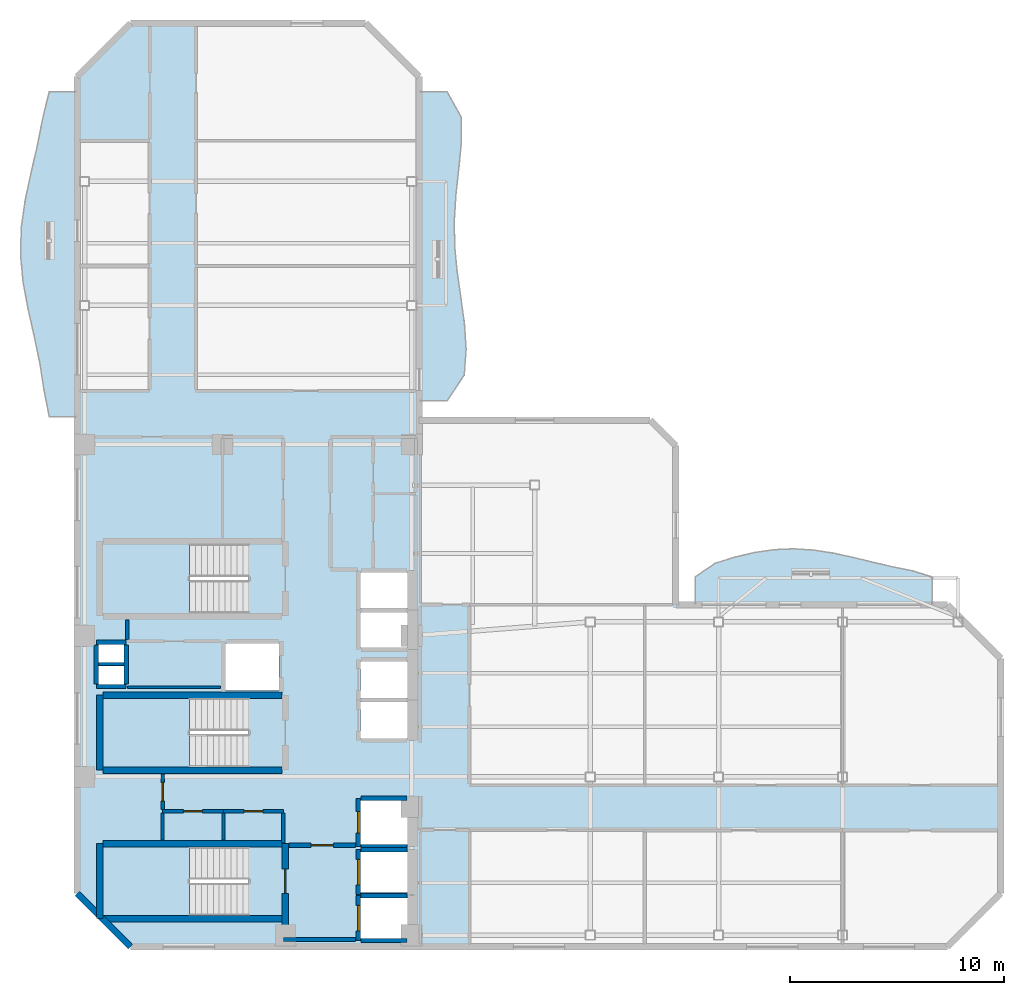
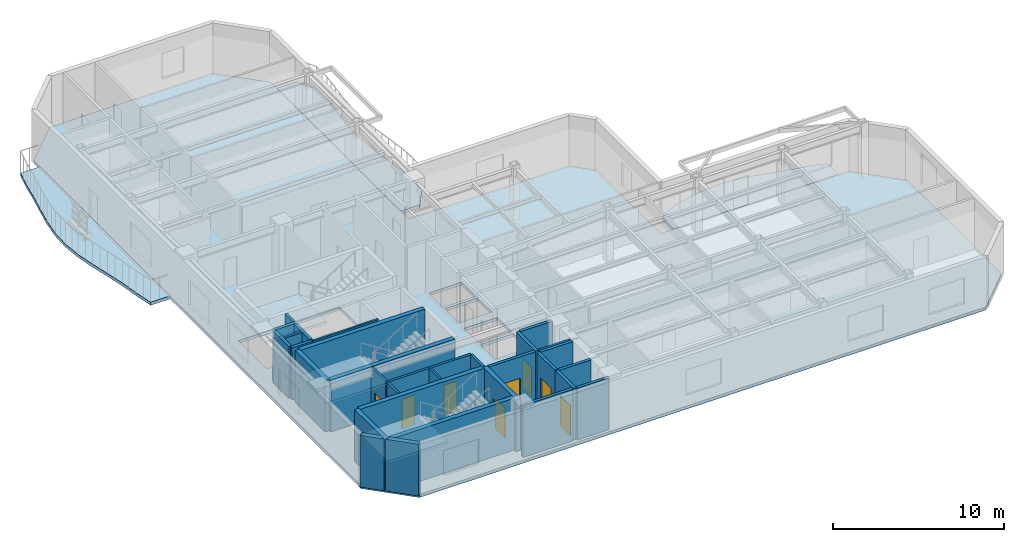
# One storey, part 2 of 9: 31 walls, 8 doors, 7 slabs, 8 openings, 3 elements without a shape of their own.
"""IFC4 building model written with IfcOpenShell, lengths in metres."""

from ifc_helpers import new_model, si_unit, direction, frame, frame_2d, origin, place, context, subcontext, project, spatial, polyline, rectangle, outline, extrude, material, layer, layer_set, type_object, element, fill, aggregate, save


model = new_model("IFC4")

# Units and contexts
model_context = context("Model", 3, precision=1e-05, world=origin(), true_north=direction((0.0, 1.0)))
body_context = subcontext(model_context, "Body", "Model", "MODEL_VIEW")
ifc_project = project(units=[si_unit("LENGTHUNIT", "METRE"), si_unit("AREAUNIT", "SQUARE_METRE"), si_unit("VOLUMEUNIT", "CUBIC_METRE"), si_unit("PLANEANGLEUNIT", "RADIAN"), si_unit("MASSUNIT", "GRAM", prefix="KILO")], contexts=[model_context])

# Site, building, storey
site_placement = place(None, origin())
site = spatial("IfcSite", under=ifc_project, at=site_placement, CompositionType="ELEMENT")
building_placement = place(site_placement, origin())
building = spatial("IfcBuilding", under=site, at=building_placement, Name="Mawjaban Terraces University", CompositionType="ELEMENT")
storey_placement = place(building_placement, frame((0.0, 0.0, 179.699951171875)))
storey = spatial("IfcBuildingStorey", under=building, at=storey_placement, Name="L43", CompositionType="ELEMENT", Elevation=179.699951171875)

# Slabs
ifc_material_1 = material(Name="Concrete C40/50", Category="concrete")
ifc_layer_1 = layer(ifc_material_1, 0.2099609375)
ifc_layer_set_1 = layer_set([ifc_layer_1], Name="Concrete C40/50")
slab_type_1 = type_object("IfcSlabType", Name="BalconySlab_210_Ext", PredefinedType="FLOOR", material=ifc_layer_set_1)
slab_1_placement = place(storey_placement, frame((0.0, 0.0, -0.2099609375)))
element("IfcSlab", 1, at=slab_1_placement, inside=storey, type_object=slab_type_1, Name="L43 Planted Balcony Slab west", PredefinedType="FLOOR", context=body_context, shape_type="SweptSolid", body=[
    extrude(outline(polyline([(22.010009765625, 24.800048828125), (22.010009765625, 40.0), (20.699951171875, 40.0), (20.39111328125, 38.73291015625), (20.14111328125, 37.467041015625), (19.847900390625, 36.199951171875), (19.575927734375, 34.93310546875), (19.39501953125, 33.6669921875), (19.35595703125, 32.39990234375), (19.469970703125, 31.133056640625), (19.701904296875, 29.866943359375), (19.988037109375, 28.60009765625), (20.25390625, 27.3330078125), (20.450927734375, 26.06689453125), (20.699951171875, 24.800048828125), (22.010009765625, 24.800048828125)])), origin(), (0.0, 0.0, 1.0), 0.2099609375),
])
slab_2_placement = place(storey_placement, frame((0.0, 0.0, -0.2099609375)))
element("IfcSlab", 2, at=slab_2_placement, inside=storey, type_object=slab_type_1, Name="L43 Planted Balcony Slab inner_north", PredefinedType="FLOOR", context=body_context, shape_type="SweptSolid", body=[
    extrude(outline(polyline([(50.89990234375, 15.989990234375), (62.0, 15.989990234375), (62.0, 17.300048828125), (61.074951171875, 17.587890625), (60.14990234375, 17.77490234375), (59.22509765625, 17.989990234375), (58.300048828125, 18.215087890625), (57.375, 18.416015625), (56.449951171875, 18.55908203125), (55.52490234375, 18.618896484375), (54.60009765625, 18.580078125), (53.675048828125, 18.445068359375), (52.75, 18.22607421875), (51.824951171875, 17.93798828125), (50.89990234375, 17.300048828125), (50.89990234375, 15.989990234375)])), origin(), (0.0, 0.0, 1.0), 0.2099609375),
])
slab_3_placement = place(storey_placement, frame((0.0, 0.0, -0.2099609375)))
element("IfcSlab", 3, at=slab_3_placement, inside=storey, type_object=slab_type_1, Name="L43 Planted Balcony Slab inner_east", PredefinedType="FLOOR", context=body_context, shape_type="SweptSolid", body=[
    extrude(outline(polyline([(39.300048828125, 25.5400390625), (40.10693359375, 26.7451171875), (40.194091796875, 27.949951171875), (40.114990234375, 29.155029296875), (39.949951171875, 30.360107421875), (39.77587890625, 31.56494140625), (39.659912109375, 32.77001953125), (39.64111328125, 33.97509765625), (39.717041015625, 35.179931640625), (39.85107421875, 36.385009765625), (39.969970703125, 37.590087890625), (39.97509765625, 38.794921875), (39.300048828125, 40.0), (37.989990234375, 40.0), (37.989990234375, 25.5400390625), (39.300048828125, 25.5400390625)])), origin(), (0.0, 0.0, 1.0), 0.2099609375),
])
ifc_layer_2 = layer(ifc_material_1, 0.2099609375)
ifc_layer_set_2 = layer_set([ifc_layer_2], Name="Concrete C40/50")
slab_type_2 = type_object("IfcSlabType", Name="CompositeSlab_210", PredefinedType="FLOOR", material=ifc_layer_set_2)
slab_4_placement = place(storey_placement, frame((0.0, 0.0, -0.2099609375)))
element("IfcSlab", 4, at=slab_4_placement, inside=storey, type_object=slab_type_2, Name="L43 Primary Structural Slab", PredefinedType="FLOOR", context=body_context, shape_type="SweptSolid", body=[
    extrude(outline(polyline([(24.5, 0.0), (62.699951171875, 0.0), (65.199951171875, 2.5), (65.199951171875, 13.5), (62.699951171875, 16.0), (50.0, 16.0), (50.0, 23.43994140625), (48.800048828125, 24.639892578125), (38.0, 24.639892578125), (38.0, 40.699951171875), (35.5, 43.199951171875), (24.5, 43.199951171875), (22.0, 40.699951171875), (22.0, 2.5), (24.5, 0.0)]), holes=[polyline([(30.014892578125, 4.699951171875), (23.199951171875, 4.699951171875), (23.199951171875, 1.449951171875), (30.014892578125, 1.449951171875), (30.014892578125, 4.699951171875)]), polyline([(30.014892578125, 18.85009765625), (23.199951171875, 18.85009765625), (23.199951171875, 15.60009765625), (30.014892578125, 15.60009765625), (30.014892578125, 18.85009765625)]), polyline([(30.014892578125, 11.64990234375), (23.199951171875, 11.64990234375), (23.199951171875, 8.39990234375), (30.014892578125, 8.39990234375), (30.014892578125, 11.64990234375)]), polyline([(35.25, 0.39990234375), (37.449951171875, 0.39990234375), (37.449951171875, 2.300048828125), (35.25, 2.300048828125), (35.25, 0.39990234375)]), polyline([(35.25, 2.550048828125), (37.449951171875, 2.550048828125), (37.449951171875, 4.449951171875), (35.25, 4.449951171875), (35.25, 2.550048828125)]), polyline([(35.25, 4.800048828125), (37.449951171875, 4.800048828125), (37.449951171875, 6.85009765625), (35.25, 6.85009765625), (35.25, 4.800048828125)]), polyline([(35.25, 9.75), (37.449951171875, 9.75), (37.449951171875, 11.449951171875), (35.25, 11.449951171875), (35.25, 9.75)]), polyline([(35.25, 11.64990234375), (37.449951171875, 11.64990234375), (37.449951171875, 13.35009765625), (35.25, 13.35009765625), (35.25, 11.64990234375)]), polyline([(28.949951171875, 12.0), (31.449951171875, 12.0), (31.449951171875, 14.199951171875), (28.949951171875, 14.199951171875), (28.949951171875, 12.0)]), polyline([(35.25, 14.0), (37.449951171875, 14.0), (37.449951171875, 15.64990234375), (35.25, 15.64990234375), (35.25, 14.0)]), polyline([(35.25, 15.85009765625), (37.449951171875, 15.85009765625), (37.449951171875, 17.5), (35.25, 17.5), (35.25, 15.85009765625)]), polyline([(23.0, 12.25), (24.199951171875, 12.25), (24.199951171875, 13.14990234375), (23.0, 13.14990234375), (23.0, 12.25)]), polyline([(23.0, 13.300048828125), (24.199951171875, 13.300048828125), (24.199951171875, 14.179931640625), (23.0, 14.179931640625), (23.0, 13.300048828125)])]), origin(), (0.0, 0.0, 1.0), 0.2099609375),
])

# Stair, slab
stair_type = type_object("IfcStairType", Name="Stair_Core1550_H39", PredefinedType="HALF_TURN_STAIR", material=ifc_material_1)
stair_1_placement = place(storey_placement, origin())
stair_1 = element("IfcStair", 5, at=stair_1_placement, inside=storey, type_object=stair_type, Name="L43 Core Exit Stair 1", PredefinedType="HALF_TURN_STAIR")
ifc_layer_3 = layer(ifc_material_1, 0.199951171875)
ifc_layer_set_3 = layer_set([ifc_layer_3], Name="Concrete C40/50")
slab_type_3 = type_object("IfcSlabType", Name="StairLandingSlab_200", PredefinedType="LANDING", material=ifc_layer_set_3)
slab_5_placement = place(storey_placement, frame((0.0, 0.0, 1.75)))
slab_5 = element("IfcSlab", 6, at=slab_5_placement, type_object=slab_type_3, Name="ST-1 landing 1", PredefinedType="LANDING", context=body_context, shape_type="SweptSolid", body=[
    extrude(outline(polyline([(27.25, 4.699951171875), (23.199951171875, 4.699951171875), (23.199951171875, 1.449951171875), (27.25, 1.449951171875), (27.25, 4.699951171875)])), origin(), (0.0, 0.0, 1.0), 0.199951171875),
])
aggregate(stair_1, [slab_5])

stair_2_placement = place(storey_placement, origin())
stair_2 = element("IfcStair", 7, at=stair_2_placement, inside=storey, type_object=stair_type, Name="L43 Core Exit Stair 2", PredefinedType="HALF_TURN_STAIR")
slab_6_placement = place(storey_placement, frame((0.0, 0.0, 1.75)))
slab_6 = element("IfcSlab", 8, at=slab_6_placement, type_object=slab_type_3, Name="ST-2 landing 1", PredefinedType="LANDING", context=body_context, shape_type="SweptSolid", body=[
    extrude(outline(polyline([(27.25, 18.85009765625), (23.199951171875, 18.85009765625), (23.199951171875, 15.60009765625), (27.25, 15.60009765625), (27.25, 18.85009765625)])), origin(), (0.0, 0.0, 1.0), 0.199951171875),
])
aggregate(stair_2, [slab_6])

stair_3_placement = place(storey_placement, origin())
stair_3 = element("IfcStair", 9, at=stair_3_placement, inside=storey, type_object=stair_type, Name="L43 Core Exit Stair 3", PredefinedType="HALF_TURN_STAIR")
slab_7_placement = place(storey_placement, frame((0.0, 0.0, 1.75)))
slab_7 = element("IfcSlab", 10, at=slab_7_placement, type_object=slab_type_3, Name="ST-3 landing 1", PredefinedType="LANDING", context=body_context, shape_type="SweptSolid", body=[
    extrude(outline(polyline([(27.25, 11.64990234375), (23.199951171875, 11.64990234375), (23.199951171875, 8.39990234375), (27.25, 8.39990234375), (27.25, 11.64990234375)])), origin(), (0.0, 0.0, 1.0), 0.199951171875),
])
aggregate(stair_3, [slab_7])

# Wall, opening, door
ifc_material_2 = material(Name="Fire-rated gypsum board on steel stud", Category="steel")
ifc_layer_4 = layer(ifc_material_2, 0.159912109375)
ifc_layer_set_4 = layer_set([ifc_layer_4], Name="Fire-rated gypsum board on steel stud")
wall_type_1 = type_object("IfcWallType", Name="CorridorPartition_160", PredefinedType="PARTITIONING", material=ifc_layer_set_4)
wall_1_placement = place(storey_placement, frame((26.0, 6.35009765625, 0.0), z_axis=(0.0, 0.0, 1.0), x_axis=(1.0, 0.0, 0.0)))
wall_1 = element("IfcWall", 11, at=wall_1_placement, inside=storey, type_object=wall_type_1, Name="L43 Core Washroom Lobby Partition 6", PredefinedType="PARTITIONING", context=body_context, shape_type="SweptSolid", body=[
    extrude(rectangle(XDim=2.85009765625, YDim=0.159912109375, at=frame_2d((1.425048828125, 0.0))), origin(), (0.0, 0.0, 1.0), 3.68994140625),
])
opening_1_placement = place(wall_1_placement, frame((0.985107421875, 0.0, 0.0)))
opening_1 = element("IfcOpeningElement", 12, at=opening_1_placement, cuts=wall_1, Name="Opening ID-088", PredefinedType="OPENING", context=body_context, shape_type="SweptSolid", body=[
    extrude(rectangle(XDim=0.8798828125, YDim=2.10009765625, at=frame_2d((0.43994140625, 1.050048828125))), frame((0.0, 0.08984375, 0.0), z_axis=(0.0, -1.0, 0.0), x_axis=(1.0, 0.0, 0.0)), (0.0, 0.0, 1.0), 0.179931640625),
])
ifc_material_3 = material(Name="Powder-coated steel frame and solid acoustic timber leaf", Category="steel")
door_type_1 = type_object("IfcDoorType", Name="ToiletDoor_880x2100", OperationType="NOTDEFINED", PredefinedType="DOOR", material=ifc_material_3)
door_1_placement = place(opening_1_placement, origin())
door_1 = element("IfcDoor", 13, at=door_1_placement, inside=storey, type_object=door_type_1, Name="L43 Male Toilet Door", OperationType="SINGLE_SWING_LEFT", OverallHeight=2.10009765625, OverallWidth=0.8798828125, PredefinedType="DOOR", context=body_context, shape_type="SweptSolid", body=[
    extrude(rectangle(XDim=0.8798828125, YDim=2.10009765625, at=frame_2d((0.43994140625, 1.050048828125))), frame((0.0, 0.02490234375, 0.0), z_axis=(0.0, -1.0, 0.0), x_axis=(1.0, 0.0, 0.0)), (0.0, 0.0, 1.0), 0.050048828125),
])
fill(opening_1, door_1)

wall_2_placement = place(storey_placement, frame((28.85009765625, 6.35009765625, 0.0), z_axis=(0.0, 0.0, 1.0), x_axis=(1.0, 0.0, 0.0)))
wall_2 = element("IfcWall", 14, at=wall_2_placement, inside=storey, type_object=wall_type_1, Name="L43 Core Washroom Lobby Partition 8", PredefinedType="PARTITIONING", context=body_context, shape_type="SweptSolid", body=[
    extrude(rectangle(XDim=2.7998046875, YDim=0.159912109375, at=frame_2d((1.39990234375, 0.0))), origin(), (0.0, 0.0, 1.0), 3.68994140625),
])
opening_2_placement = place(wall_2_placement, frame((0.9599609375, 0.0, 0.0)))
opening_2 = element("IfcOpeningElement", 15, at=opening_2_placement, cuts=wall_2, Name="Opening ID-088", PredefinedType="OPENING", context=body_context, shape_type="SweptSolid", body=[
    extrude(rectangle(XDim=0.8798828125, YDim=2.10009765625, at=frame_2d((0.43994140625, 1.050048828125))), frame((0.0, 0.08984375, 0.0), z_axis=(0.0, -1.0, 0.0), x_axis=(1.0, 0.0, 0.0)), (0.0, 0.0, 1.0), 0.179931640625),
])
door_2_placement = place(opening_2_placement, origin())
door_2 = element("IfcDoor", 16, at=door_2_placement, inside=storey, type_object=door_type_1, Name="L43 Accessible Toilet Door", OperationType="SINGLE_SWING_RIGHT", OverallHeight=2.10009765625, OverallWidth=0.8798828125, PredefinedType="DOOR", context=body_context, shape_type="SweptSolid", body=[
    extrude(rectangle(XDim=0.8798828125, YDim=2.10009765625, at=frame_2d((0.43994140625, 1.050048828125))), frame((0.0, 0.02490234375, 0.0), z_axis=(0.0, -1.0, 0.0), x_axis=(1.0, 0.0, 0.0)), (0.0, 0.0, 1.0), 0.050048828125),
])
fill(opening_2, door_2)

# Wall
wall_3_placement = place(storey_placement, frame((24.35009765625, 15.2900390625, 0.0), z_axis=(0.0, 0.0, 1.0), x_axis=(0.0, -1.0, 0.0)))
element("IfcWall", 17, at=wall_3_placement, inside=storey, type_object=wall_type_1, Name="L43 Core Riser Access Passage Partition 29", PredefinedType="PARTITIONING", context=body_context, shape_type="SweptSolid", body=[
    extrude(rectangle(XDim=0.9150390625, YDim=0.159912109375, at=frame_2d((0.45751953125, 0.0))), origin(), (0.0, 0.0, 1.0), 3.68994140625),
])

# Wall, opening, door
wall_4_placement = place(storey_placement, frame((26.0, 8.090087890625, 0.0), z_axis=(0.0, 0.0, 1.0), x_axis=(0.0, -1.0, 0.0)))
wall_4 = element("IfcWall", 18, at=wall_4_placement, inside=storey, type_object=wall_type_1, Name="L43 Core Washroom Lobby Partition 34", PredefinedType="PARTITIONING", context=body_context, shape_type="SweptSolid", body=[
    extrude(rectangle(XDim=1.6650390625, YDim=0.159912109375, at=frame_2d((0.83251953125, 0.0))), origin(), (0.0, 0.0, 1.0), 3.68994140625),
])
opening_3_placement = place(wall_4_placement, frame((0.39306640625, 0.0, 0.0)))
opening_3 = element("IfcOpeningElement", 19, at=opening_3_placement, cuts=wall_4, Name="Opening ID-088", PredefinedType="OPENING", context=body_context, shape_type="SweptSolid", body=[
    extrude(rectangle(XDim=0.8798828125, YDim=2.10009765625, at=frame_2d((0.43994140625, 1.050048828125))), frame((0.0, 0.08984375, 0.0), z_axis=(0.0, -1.0, 0.0), x_axis=(1.0, 0.0, 0.0)), (0.0, 0.0, 1.0), 0.179931640625),
])
door_3_placement = place(opening_3_placement, origin())
door_3 = element("IfcDoor", 20, at=door_3_placement, inside=storey, type_object=door_type_1, Name="L43 Ablution Room Door", OperationType="SINGLE_SWING_RIGHT", OverallHeight=2.10009765625, OverallWidth=0.8798828125, PredefinedType="DOOR", context=body_context, shape_type="SweptSolid", body=[
    extrude(rectangle(XDim=0.8798828125, YDim=2.10009765625, at=frame_2d((0.43994140625, 1.050048828125))), frame((0.0, 0.02490234375, 0.0), z_axis=(0.0, -1.0, 0.0), x_axis=(1.0, 0.0, 0.0)), (0.0, 0.0, 1.0), 0.050048828125),
])
fill(opening_3, door_3)

# Walls
wall_5_placement = place(storey_placement, frame((31.64990234375, 4.860107421875, 0.0), z_axis=(0.0, 0.0, 1.0), x_axis=(0.0, 1.0, 0.0)))
element("IfcWall", 21, at=wall_5_placement, inside=storey, type_object=wall_type_1, Name="L43 Accessible Toilet Partition 40", PredefinedType="PARTITIONING", context=body_context, shape_type="SweptSolid", body=[
    extrude(rectangle(XDim=1.414794921875, YDim=0.159912109375, at=frame_2d((0.70751953125, 0.0))), origin(), (0.0, 0.0, 1.0), 3.68994140625),
])
ifc_material_4 = material(Name="Insulated terracotta rainscreen on concrete backup C40/50", Category="masonry")
ifc_layer_5 = layer(ifc_material_4, 0.300048828125)
ifc_layer_set_5 = layer_set([ifc_layer_5], Name="Insulated terracotta rainscreen on concrete backup C40/50")
wall_type_2 = type_object("IfcWallType", Name="ExtTerracottaWall_300", PredefinedType="SOLIDWALL", material=ifc_layer_set_5)
wall_6_placement = place(storey_placement, frame((22.0, 2.5, 0.0), z_axis=(0.0, 0.0, 1.0), x_axis=(0.707106781187, -0.707106781187, 0.0)))
element("IfcWall", 22, at=wall_6_placement, inside=storey, type_object=wall_type_2, Name="L43 Exterior Terracotta Wall 14", PredefinedType="SOLIDWALL", context=body_context, shape_type="SweptSolid", body=[
    extrude(rectangle(XDim=3.53564453125, YDim=0.300048828125, at=frame_2d((1.767822265625, 0.0))), origin(), (0.0, 0.0, 1.0), 3.68994140625),
])

# Wall, opening, door
ifc_layer_6 = layer(ifc_material_1, 0.199951171875)
ifc_layer_set_6 = layer_set([ifc_layer_6], Name="Concrete C40/50")
wall_type_3 = type_object("IfcWallType", Name="FireLobbyWall_200", PredefinedType="SOLIDWALL", material=ifc_layer_set_6)
wall_7_placement = place(storey_placement, frame((35.14990234375, 2.39990234375, 0.0), z_axis=(0.0, 0.0, 1.0), x_axis=(0.0, -1.0, 0.0)))
wall_7 = element("IfcWall", 23, at=wall_7_placement, inside=storey, type_object=wall_type_3, Name="L43 Lift FL-1 Hoistway Wall West", PredefinedType="SOLIDWALL", context=body_context, shape_type="SweptSolid", body=[
    extrude(rectangle(XDim=2.099853515625, YDim=0.199951171875, at=frame_2d((1.0498046875, 0.0))), origin(), (0.0, 0.0, 1.0), 3.68994140625),
])
opening_4_placement = place(wall_7_placement, frame((0.449951171875, 0.0, 0.0)))
opening_4 = element("IfcOpeningElement", 24, at=opening_4_placement, cuts=wall_7, Name="Opening LD-FL-1", PredefinedType="OPENING", context=body_context, shape_type="SweptSolid", body=[
    extrude(rectangle(XDim=1.199951171875, YDim=2.14990234375, at=frame_2d((0.60009765625, 1.074951171875))), frame((0.0, 0.10986328125, 0.0), z_axis=(0.0, -1.0, 0.0), x_axis=(1.0, 0.0, 0.0)), (0.0, 0.0, 1.0), 0.219970703125),
])
ifc_material_5 = material(Name="Powder-coated steel frame and fire-rated steel-faced leaf", Category="steel")
door_type_2 = type_object("IfcDoorType", Name="LiftLandingFSAE_1200x2150", OperationType="NOTDEFINED", PredefinedType="DOOR", material=ifc_material_5)
door_4_placement = place(opening_4_placement, origin())
door_4 = element("IfcDoor", 25, at=door_4_placement, inside=storey, type_object=door_type_2, Name="L43 Lift FL-1 Sliding Landing Door", OperationType="DOUBLE_DOOR_SLIDING", OverallHeight=2.14990234375, OverallWidth=1.199951171875, PredefinedType="DOOR", context=body_context, shape_type="SweptSolid", body=[
    extrude(rectangle(XDim=1.199951171875, YDim=2.14990234375, at=frame_2d((0.60009765625, 1.074951171875))), frame((0.0, 0.02490234375, 0.0), z_axis=(0.0, -1.0, 0.0), x_axis=(1.0, 0.0, 0.0)), (0.0, 0.0, 1.0), 0.050048828125),
])
fill(opening_4, door_4)

# Walls
for number, where, z_axis, x_axis, name in (
    (26, (35.280029296875, 0.300048828125, 0.0), (0.0, 0.0, 1.0), (1.0, 0.0, 0.0), "L43 Lift FL-1 Hoistway Wall South"),
    (27, (37.419921875, 2.39990234375, 0.0), (0.0, 0.0, 1.0), (-1.0, 0.0, 0.0), "L43 Lift FL-1 Hoistway Wall North"),
):
    element("IfcWall", number, at=place(storey_placement, frame(where, z_axis=z_axis, x_axis=x_axis)), inside=storey, type_object=wall_type_3, Name=name, PredefinedType="SOLIDWALL", context=body_context, shape_type="SweptSolid", body=[
        extrude(rectangle(XDim=2.139892578125, YDim=0.199951171875, at=frame_2d((1.06982421875, 0.0))), origin(), (0.0, 0.0, 1.0), 3.68994140625),
    ])

# Wall, opening, door
wall_8_placement = place(storey_placement, frame((35.14990234375, 4.550048828125, 0.0), z_axis=(0.0, 0.0, 1.0), x_axis=(0.0, -1.0, 0.0)))
wall_8 = element("IfcWall", 28, at=wall_8_placement, inside=storey, type_object=wall_type_3, Name="L43 Lift FL-2 Hoistway Wall West", PredefinedType="SOLIDWALL", context=body_context, shape_type="SweptSolid", body=[
    extrude(rectangle(XDim=2.10009765625, YDim=0.199951171875, at=frame_2d((1.050048828125, 0.0))), origin(), (0.0, 0.0, 1.0), 3.68994140625),
])
opening_5_placement = place(wall_8_placement, frame((0.449951171875, 0.0, 0.0)))
opening_5 = element("IfcOpeningElement", 29, at=opening_5_placement, cuts=wall_8, Name="Opening LD-FL-2", PredefinedType="OPENING", context=body_context, shape_type="SweptSolid", body=[
    extrude(rectangle(XDim=1.199951171875, YDim=2.14990234375, at=frame_2d((0.60009765625, 1.074951171875))), frame((0.0, 0.10986328125, 0.0), z_axis=(0.0, -1.0, 0.0), x_axis=(1.0, 0.0, 0.0)), (0.0, 0.0, 1.0), 0.219970703125),
])
door_5_placement = place(opening_5_placement, origin())
door_5 = element("IfcDoor", 30, at=door_5_placement, inside=storey, type_object=door_type_2, Name="L43 Lift FL-2 Sliding Landing Door", OperationType="DOUBLE_DOOR_SLIDING", OverallHeight=2.14990234375, OverallWidth=1.199951171875, PredefinedType="DOOR", context=body_context, shape_type="SweptSolid", body=[
    extrude(rectangle(XDim=1.199951171875, YDim=2.14990234375, at=frame_2d((0.60009765625, 1.074951171875))), frame((0.0, 0.02490234375, 0.0), z_axis=(0.0, -1.0, 0.0), x_axis=(1.0, 0.0, 0.0)), (0.0, 0.0, 1.0), 0.050048828125),
])
fill(opening_5, door_5)

# Wall
wall_9_placement = place(storey_placement, frame((37.419921875, 4.550048828125, 0.0), z_axis=(0.0, 0.0, 1.0), x_axis=(-1.0, 0.0, 0.0)))
element("IfcWall", 31, at=wall_9_placement, inside=storey, type_object=wall_type_3, Name="L43 Lift FL-2 Hoistway Wall North", PredefinedType="SOLIDWALL", context=body_context, shape_type="SweptSolid", body=[
    extrude(rectangle(XDim=2.139892578125, YDim=0.199951171875, at=frame_2d((1.06982421875, 0.0))), origin(), (0.0, 0.0, 1.0), 3.68994140625),
])

# Wall, opening, door
wall_10_placement = place(storey_placement, frame((35.14990234375, 6.949951171875, 0.0), z_axis=(0.0, 0.0, 1.0), x_axis=(0.0, -1.0, 0.0)))
wall_10 = element("IfcWall", 32, at=wall_10_placement, inside=storey, type_object=wall_type_3, Name="L43 Lift SL-1 Hoistway Wall West", PredefinedType="SOLIDWALL", context=body_context, shape_type="SweptSolid", body=[
    extrude(rectangle(XDim=2.25, YDim=0.199951171875, at=frame_2d((1.125, 0.0))), origin(), (0.0, 0.0, 1.0), 3.68994140625),
])
opening_6_placement = place(wall_10_placement, frame((0.625, 0.0, 0.0)))
opening_6 = element("IfcOpeningElement", 33, at=opening_6_placement, cuts=wall_10, Name="Opening LD-SL-1", PredefinedType="OPENING", context=body_context, shape_type="SweptSolid", body=[
    extrude(rectangle(XDim=1.0, YDim=2.10009765625, at=frame_2d((0.5, 1.050048828125))), frame((0.0, 0.10986328125, 0.0), z_axis=(0.0, -1.0, 0.0), x_axis=(1.0, 0.0, 0.0)), (0.0, 0.0, 1.0), 0.219970703125),
])
door_type_3 = type_object("IfcDoorType", Name="LiftLandingSliding_1000x2100", OperationType="NOTDEFINED", PredefinedType="DOOR", material=ifc_material_5)
door_6_placement = place(opening_6_placement, origin())
door_6 = element("IfcDoor", 34, at=door_6_placement, inside=storey, type_object=door_type_3, Name="L43 Lift SL-1 Sliding Landing Door", OperationType="DOUBLE_DOOR_SLIDING", OverallHeight=2.10009765625, OverallWidth=1.0, PredefinedType="DOOR", context=body_context, shape_type="SweptSolid", body=[
    extrude(rectangle(XDim=1.0, YDim=2.10009765625, at=frame_2d((0.5, 1.050048828125))), frame((0.0, 0.02490234375, 0.0), z_axis=(0.0, -1.0, 0.0), x_axis=(1.0, 0.0, 0.0)), (0.0, 0.0, 1.0), 0.050048828125),
])
fill(opening_6, door_6)

# Walls
for number, where, z_axis, x_axis, name in (
    (35, (35.280029296875, 4.699951171875, 0.0), (0.0, 0.0, 1.0), (1.0, 0.0, 0.0), "L43 Lift SL-1 Hoistway Wall South"),
    (36, (37.419921875, 6.949951171875, 0.0), (0.0, 0.0, 1.0), (-1.0, 0.0, 0.0), "L43 Lift SL-1 Hoistway Wall North"),
):
    element("IfcWall", number, at=place(storey_placement, frame(where, z_axis=z_axis, x_axis=x_axis)), inside=storey, type_object=wall_type_3, Name=name, PredefinedType="SOLIDWALL", context=body_context, shape_type="SweptSolid", body=[
        extrude(rectangle(XDim=2.139892578125, YDim=0.199951171875, at=frame_2d((1.06982421875, 0.0))), origin(), (0.0, 0.0, 1.0), 3.68994140625),
    ])
for number, where, z_axis, x_axis, name in (
    (37, (22.89990234375, 14.25, 0.0), (0.0, 0.0, 1.0), (1.0, 0.0, 0.0), "L43 MEP Riser Shaft Wall N"),
    (38, (22.89990234375, 12.179931640625, 0.0), (0.0, 0.0, 1.0), (1.0, 0.0, 0.0), "L43 MEP Riser Shaft Wall S"),
):
    element("IfcWall", number, at=place(storey_placement, frame(where, z_axis=z_axis, x_axis=x_axis)), inside=storey, type_object=wall_type_3, Name=name, PredefinedType="SOLIDWALL", context=body_context, shape_type="SweptSolid", body=[
        extrude(rectangle(XDim=1.400146484375, YDim=0.199951171875, at=frame_2d((0.7001953125, 0.0))), origin(), (0.0, 0.0, 1.0), 3.68994140625),
    ])
for number, where, z_axis, x_axis, name in (
    (39, (24.300048828125, 12.300048828125, 0.0), (0.0, 0.0, 1.0), (0.0, 1.0, 0.0), "L43 MEP Riser Shaft Wall E"),
    (40, (22.89990234375, 12.300048828125, 0.0), (0.0, 0.0, 1.0), (0.0, 1.0, 0.0), "L43 MEP Riser Shaft Wall W"),
):
    element("IfcWall", number, at=place(storey_placement, frame(where, z_axis=z_axis, x_axis=x_axis)), inside=storey, type_object=wall_type_3, Name=name, PredefinedType="SOLIDWALL", context=body_context, shape_type="SweptSolid", body=[
        extrude(rectangle(XDim=1.829833984375, YDim=0.199951171875, at=frame_2d((0.9150390625, 0.0))), origin(), (0.0, 0.0, 1.0), 3.68994140625),
    ])
wall_11_placement = place(storey_placement, frame((31.64990234375, 0.35009765625, 0.0), z_axis=(0.0, 0.0, 1.0), x_axis=(1.0, 0.0, 0.0)))
element("IfcWall", 41, at=wall_11_placement, inside=storey, type_object=wall_type_3, Name="L43 Firefighting Lift Lobby Partition 9", PredefinedType="SOLIDWALL", context=body_context, shape_type="SweptSolid", body=[
    extrude(rectangle(XDim=3.3701171875, YDim=0.199951171875, at=frame_2d((1.68505859375, 0.0))), origin(), (0.0, 0.0, 1.0), 3.68994140625),
])

# Wall, opening, door
wall_12_placement = place(storey_placement, frame((35.02001953125, 4.75, 0.0), z_axis=(0.0, 0.0, 1.0), x_axis=(-1.0, 0.0, 0.0)))
wall_12 = element("IfcWall", 42, at=wall_12_placement, inside=storey, type_object=wall_type_3, Name="L43 Firefighting Lift Lobby Partition 12", PredefinedType="SOLIDWALL", context=body_context, shape_type="SweptSolid", body=[
    extrude(rectangle(XDim=3.110107421875, YDim=0.199951171875, at=frame_2d((1.55517578125, 0.0))), origin(), (0.0, 0.0, 1.0), 3.68994140625),
])
opening_7_placement = place(wall_12_placement, frame((1.030029296875, 0.0, 0.0)))
opening_7 = element("IfcOpeningElement", 43, at=opening_7_placement, cuts=wall_12, Name="Opening FD-105", PredefinedType="OPENING", context=body_context, shape_type="SweptSolid", body=[
    extrude(rectangle(XDim=1.050048828125, YDim=2.14990234375, at=frame_2d((0.52490234375, 1.074951171875))), frame((0.0, 0.10986328125, 0.0), z_axis=(0.0, -1.0, 0.0), x_axis=(1.0, 0.0, 0.0)), (0.0, 0.0, 1.0), 0.219970703125),
])
door_type_4 = type_object("IfcDoorType", Name="FireLobbyDoor_1050x2150", OperationType="NOTDEFINED", PredefinedType="DOOR", material=ifc_material_5)
door_7_placement = place(opening_7_placement, origin())
door_7 = element("IfcDoor", 44, at=door_7_placement, inside=storey, type_object=door_type_4, Name="L43 Firefighting Lift Lobby Door", OperationType="SINGLE_SWING_LEFT", OverallHeight=2.14990234375, OverallWidth=1.050048828125, PredefinedType="DOOR", context=body_context, shape_type="SweptSolid", body=[
    extrude(rectangle(XDim=1.050048828125, YDim=2.14990234375, at=frame_2d((0.52490234375, 1.074951171875))), frame((0.0, 0.02490234375, 0.0), z_axis=(0.0, -1.0, 0.0), x_axis=(1.0, 0.0, 0.0)), (0.0, 0.0, 1.0), 0.050048828125),
])
fill(opening_7, door_7)

# Walls
ifc_material_6 = material(Name="Moisture-resistant gypsum board on steel stud", Category="steel")
ifc_layer_7 = layer(ifc_material_6, 0.14501953125)
ifc_layer_set_7 = layer_set([ifc_layer_7], Name="Moisture-resistant gypsum board on steel stud")
wall_type_4 = type_object("IfcWallType", Name="LabPartition_145", PredefinedType="PARTITIONING", material=ifc_layer_set_7)
wall_13_placement = place(storey_placement, frame((23.010009765625, 13.22509765625, 0.0), z_axis=(0.0, 0.0, 1.0), x_axis=(1.0, 0.0, 0.0)))
element("IfcWall", 45, at=wall_13_placement, inside=storey, type_object=wall_type_4, Name="L43 MEP Riser Shaft Wall M", PredefinedType="PARTITIONING", context=body_context, shape_type="SweptSolid", body=[
    extrude(rectangle(XDim=1.179931640625, YDim=0.14501953125, at=frame_2d((0.58984375, 0.0))), origin(), (0.0, 0.0, 1.0), 3.68994140625),
])
ifc_material_7 = material(Name="Gypsum plasterboard on steel stud", Category="steel")
ifc_layer_8 = layer(ifc_material_7, 0.125)
ifc_layer_set_8 = layer_set([ifc_layer_8], Name="Gypsum plasterboard on steel stud")
wall_type_5 = type_object("IfcWallType", Name="OfficePartition_125", PredefinedType="PARTITIONING", material=ifc_layer_set_8)
wall_14_placement = place(storey_placement, frame((24.35009765625, 12.14990234375, 0.0), z_axis=(0.0, 0.0, 1.0), x_axis=(1.0, 0.0, 0.0)))
element("IfcWall", 46, at=wall_14_placement, inside=storey, type_object=wall_type_5, Name="L43 Cleaner Store Partition 1", PredefinedType="PARTITIONING", context=body_context, shape_type="SweptSolid", body=[
    extrude(rectangle(XDim=4.369873046875, YDim=0.125, at=frame_2d((2.18505859375, 0.0))), origin(), (0.0, 0.0, 1.0), 3.68994140625),
])
ifc_material_8 = material(Name="Concrete C60/75", Category="concrete")
ifc_layer_9 = layer(ifc_material_8, 0.300048828125)
ifc_layer_set_9 = layer_set([ifc_layer_9], Name="Concrete C60/75")
wall_type_6 = type_object("IfcWallType", Name="StairShaftWall_300", PredefinedType="SHEAR", material=ifc_layer_set_9)
wall_15_placement = place(storey_placement, frame((31.580078125, 4.830078125, 0.0), z_axis=(0.0, 0.0, 1.0), x_axis=(-1.0, 0.0, 0.0)))
element("IfcWall", 47, at=wall_15_placement, inside=storey, type_object=wall_type_6, Name="L43 ST-1 Stair Shaft Wall 1", PredefinedType="SHEAR", context=body_context, shape_type="SweptSolid", body=[
    extrude(rectangle(XDim=8.360107421875, YDim=0.300048828125, at=frame_2d((4.18017578125, 0.0))), origin(), (0.0, 0.0, 1.0), 3.68994140625),
])
wall_16_placement = place(storey_placement, frame((23.070068359375, 4.830078125, 0.0), z_axis=(0.0, 0.0, 1.0), x_axis=(0.0, -1.0, 0.0)))
element("IfcWall", 48, at=wall_16_placement, inside=storey, type_object=wall_type_6, Name="L43 ST-1 Stair Shaft Wall 2", PredefinedType="SHEAR", context=body_context, shape_type="SweptSolid", body=[
    extrude(rectangle(XDim=3.510009765625, YDim=0.300048828125, at=frame_2d((1.7548828125, 0.0))), origin(), (0.0, 0.0, 1.0), 3.68994140625),
])
wall_17_placement = place(storey_placement, frame((23.219970703125, 1.320068359375, 0.0), z_axis=(0.0, 0.0, 1.0), x_axis=(1.0, 0.0, 0.0)))
element("IfcWall", 49, at=wall_17_placement, inside=storey, type_object=wall_type_6, Name="L43 ST-1 Stair Shaft Wall 3", PredefinedType="SHEAR", context=body_context, shape_type="SweptSolid", body=[
    extrude(rectangle(XDim=8.360107421875, YDim=0.300048828125, at=frame_2d((4.18017578125, 0.0))), origin(), (0.0, 0.0, 1.0), 3.68994140625),
])

# Wall, opening, door
wall_18_placement = place(storey_placement, frame((31.72998046875, 0.9599609375, 0.0), z_axis=(0.0, 0.0, 1.0), x_axis=(0.0, 1.0, 0.0)))
wall_18 = element("IfcWall", 50, at=wall_18_placement, inside=storey, type_object=wall_type_6, Name="L43 ST-1 Stair Shaft Wall 4", PredefinedType="SHEAR", context=body_context, shape_type="SweptSolid", body=[
    extrude(rectangle(XDim=3.8701171875, YDim=0.300048828125, at=frame_2d((1.93505859375, 0.0))), origin(), (0.0, 0.0, 1.0), 3.68994140625),
])
opening_8_placement = place(wall_18_placement, frame((1.5400390625, 0.0, 0.0)))
opening_8 = element("IfcOpeningElement", 51, at=opening_8_placement, cuts=wall_18, Name="Opening FD-115", PredefinedType="OPENING", context=body_context, shape_type="SweptSolid", body=[
    extrude(rectangle(XDim=1.14990234375, YDim=2.14990234375, at=frame_2d((0.574951171875, 1.074951171875))), frame((0.0, 0.159912109375, 0.0), z_axis=(0.0, -1.0, 0.0), x_axis=(1.0, 0.0, 0.0)), (0.0, 0.0, 1.0), 0.320068359375),
])
door_type_5 = type_object("IfcDoorType", Name="FireStairDoor_1150x2150", OperationType="NOTDEFINED", PredefinedType="DOOR", material=ifc_material_5)
door_8_placement = place(opening_8_placement, origin())
door_8 = element("IfcDoor", 52, at=door_8_placement, inside=storey, type_object=door_type_5, Name="L43 ST-1 Pressurised Stair Fire Door", OperationType="SINGLE_SWING_RIGHT", OverallHeight=2.14990234375, OverallWidth=1.14990234375, PredefinedType="DOOR", context=body_context, shape_type="SweptSolid", body=[
    extrude(rectangle(XDim=1.14990234375, YDim=2.14990234375, at=frame_2d((0.574951171875, 1.074951171875))), frame((0.0, 0.02490234375, 0.0), z_axis=(0.0, -1.0, 0.0), x_axis=(1.0, 0.0, 0.0)), (0.0, 0.0, 1.0), 0.050048828125),
])
fill(opening_8, door_8)

# Walls
wall_19_placement = place(storey_placement, frame((31.580078125, 11.780029296875, 0.0), z_axis=(0.0, 0.0, 1.0), x_axis=(-1.0, 0.0, 0.0)))
element("IfcWall", 53, at=wall_19_placement, inside=storey, type_object=wall_type_6, Name="L43 ST-3 Stair Shaft Wall 1", PredefinedType="SHEAR", context=body_context, shape_type="SweptSolid", body=[
    extrude(rectangle(XDim=8.360107421875, YDim=0.300048828125, at=frame_2d((4.18017578125, 0.0))), origin(), (0.0, 0.0, 1.0), 3.68994140625),
])
wall_20_placement = place(storey_placement, frame((23.070068359375, 11.780029296875, 0.0), z_axis=(0.0, 0.0, 1.0), x_axis=(0.0, -1.0, 0.0)))
element("IfcWall", 54, at=wall_20_placement, inside=storey, type_object=wall_type_6, Name="L43 ST-3 Stair Shaft Wall 2", PredefinedType="SHEAR", context=body_context, shape_type="SweptSolid", body=[
    extrude(rectangle(XDim=3.510009765625, YDim=0.300048828125, at=frame_2d((1.7548828125, 0.0))), origin(), (0.0, 0.0, 1.0), 3.68994140625),
])
wall_21_placement = place(storey_placement, frame((23.219970703125, 8.27001953125, 0.0), z_axis=(0.0, 0.0, 1.0), x_axis=(1.0, 0.0, 0.0)))
element("IfcWall", 55, at=wall_21_placement, inside=storey, type_object=wall_type_6, Name="L43 ST-3 Stair Shaft Wall 3", PredefinedType="SHEAR", context=body_context, shape_type="SweptSolid", body=[
    extrude(rectangle(XDim=8.360107421875, YDim=0.300048828125, at=frame_2d((4.18017578125, 0.0))), origin(), (0.0, 0.0, 1.0), 3.68994140625),
])
ifc_material_9 = material(Name="Cement-board wet-room partition", Category="masonry")
ifc_layer_10 = layer(ifc_material_9, 0.135009765625)
ifc_layer_set_10 = layer_set([ifc_layer_10], Name="Cement-board wet-room partition")
wall_type_7 = type_object("IfcWallType", Name="WetRoomPartition_135", PredefinedType="PARTITIONING", material=ifc_layer_set_10)
for number, where, z_axis, x_axis, name in (
    (56, (26.0, 5.010009765625, 0.0), (0.0, 0.0, 1.0), (0.0, 1.0, 0.0), "L43 Ablution Room Partition 33"),
    (57, (28.85009765625, 5.010009765625, 0.0), (0.0, 0.0, 1.0), (0.0, 1.0, 0.0), "L43 Male Toilet Partition 39"),
):
    element("IfcWall", number, at=place(storey_placement, frame(where, z_axis=z_axis, x_axis=x_axis)), inside=storey, type_object=wall_type_7, Name=name, PredefinedType="PARTITIONING", context=body_context, shape_type="SweptSolid", body=[
        extrude(rectangle(XDim=1.264892578125, YDim=0.135009765625, at=frame_2d((0.63232421875, 0.0))), origin(), (0.0, 0.0, 1.0), 3.68994140625),
    ])

save(model, "model.ifc")
